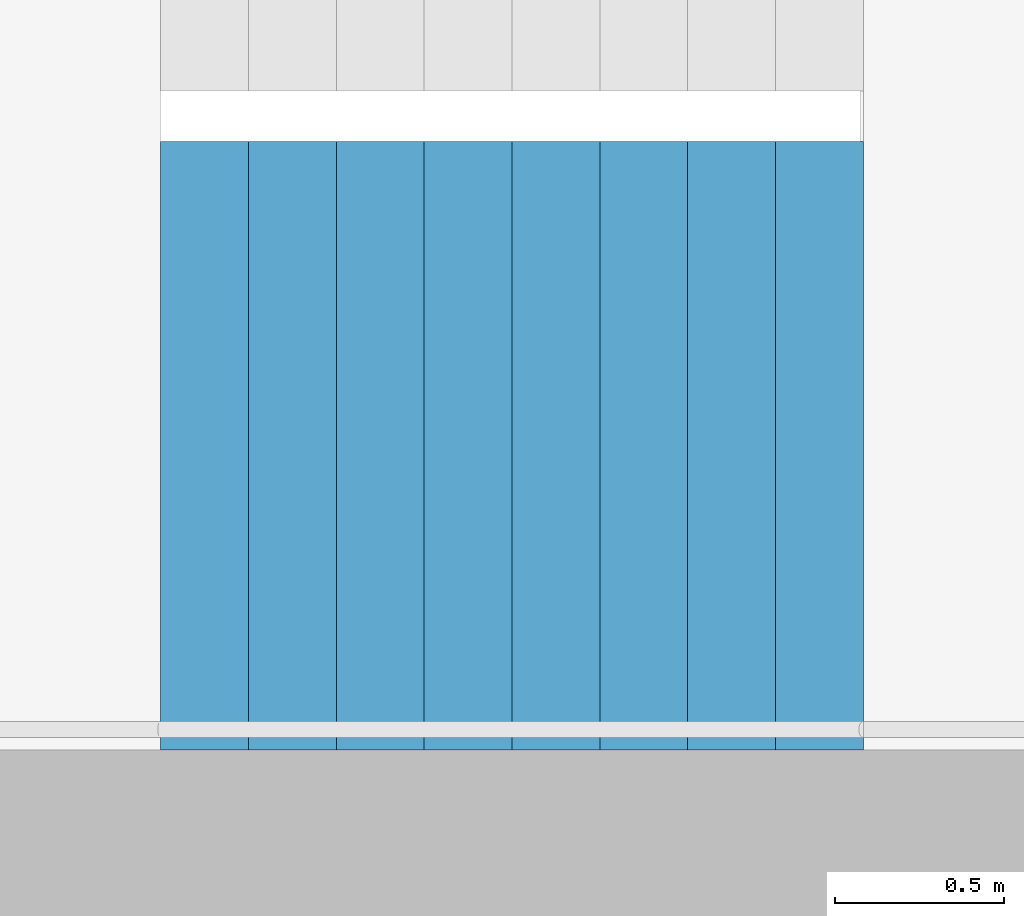
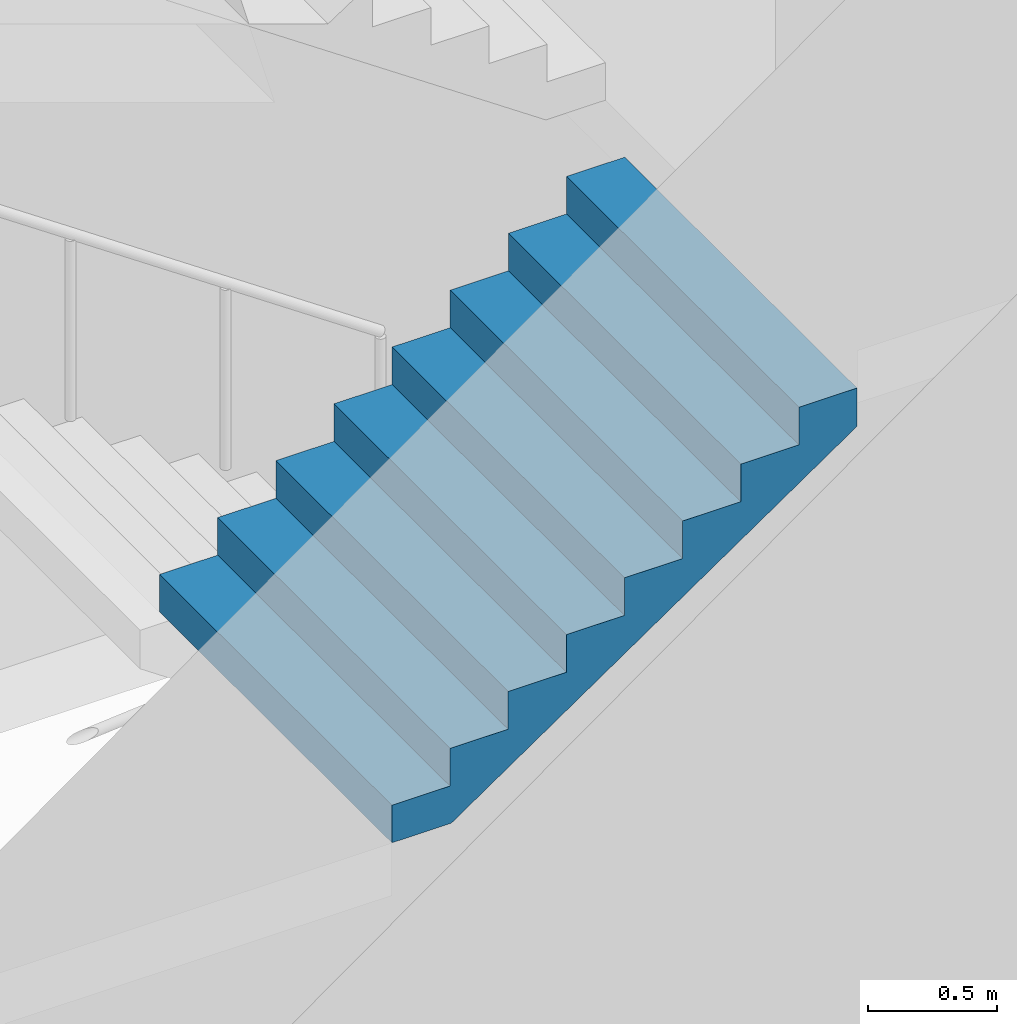
# One storey, part 15 of 41: 1 stair flight, 1 element without a shape of its own.
"""IFC4 building model written with IfcOpenShell, lengths in metres."""

from ifc_helpers import new_model, si_unit, direction, frame, origin, place, context, subcontext, project, spatial, triangles, material, type_object, element, aggregate, save


model = new_model("IFC4")

# Units and contexts
model_context = context("Model", 3, precision=1e-05, world=origin(), true_north=direction((0.0, 1.0)))
body_context = subcontext(model_context, "Body", "Model", "MODEL_VIEW")
ifc_project = project(units=[si_unit("LENGTHUNIT", "METRE"), si_unit("AREAUNIT", "SQUARE_METRE"), si_unit("VOLUMEUNIT", "CUBIC_METRE"), si_unit("PLANEANGLEUNIT", "RADIAN"), si_unit("MASSUNIT", "GRAM", prefix="KILO")], contexts=[model_context])

# Site, building, storey
site_placement = place(None, origin())
site = spatial("IfcSite", under=ifc_project, at=site_placement, CompositionType="ELEMENT")
building_placement = place(site_placement, origin())
building = spatial("IfcBuilding", under=site, at=building_placement, Name="Hakoniwa Tower and Hamabe Station Hall", CompositionType="ELEMENT")
storey_placement = place(building_placement, frame((0.0, 0.0, 180.199951171875)))
storey = spatial("IfcBuildingStorey", under=building, at=storey_placement, Name="L51", CompositionType="ELEMENT", Elevation=180.199951171875)

# Stair, stair flight
ifc_material_1 = material(Name="Concrete C40", Category="concrete")
stair_type = type_object("IfcStairType", Name="ESCAPE STAIR 1800", PredefinedType="HALF_TURN_STAIR", material=ifc_material_1)
stair_placement = place(storey_placement, origin())
stair = element("IfcStair", 1, at=stair_placement, inside=storey, type_object=stair_type, Name="Escape stair ST-2 L51", PredefinedType="HALF_TURN_STAIR")
ifc_material_2 = material(Name="Concrete C40", Category="concrete")
stair_flight_type = type_object("IfcStairFlightType", Name="STAIR FLIGHT 1800", PredefinedType="STRAIGHT", material=ifc_material_2)
stair_flight_placement = place(storey_placement, frame((-25.47998046875, -6.60009765625, 1.60009765625), z_axis=(0.0, 0.0, 1.0), x_axis=(1.0, 0.0, 0.0)))
stair_flight = element("IfcStairFlight", 2, at=stair_flight_placement, type_object=stair_flight_type, Name="ST-2 flight 2", NumberOfRisers=9, NumberOfTreads=8, PredefinedType="STRAIGHT", RiserHeight=0.177777778, TreadLength=0.26, context=body_context, shape_type="Tessellation", body=[
    triangles([(0.0, 0.89990234375, 0.0), (0.260009765625, 0.89990234375, 0.0), (0.265625, 0.89990234375, 0.0), (0.52001953125, 0.89990234375, 0.174072265625), (0.780029296875, 0.89990234375, 0.351806640625), (1.0400390625, 0.89990234375, 0.529541015625), (1.300048828125, 0.89990234375, 0.707275390625), (1.56005859375, 0.89990234375, 0.885009765625), (1.820068359375, 0.89990234375, 1.062744140625), (2.080078125, 0.89990234375, 1.24072265625), (2.080078125, 0.89990234375, 1.422119140625), (1.820068359375, 0.89990234375, 1.422119140625), (1.820068359375, 0.89990234375, 1.244384765625), (1.56005859375, 0.89990234375, 1.244384765625), (1.56005859375, 0.89990234375, 1.066650390625), (1.300048828125, 0.89990234375, 1.066650390625), (1.300048828125, 0.89990234375, 0.888916015625), (1.0400390625, 0.89990234375, 0.888916015625), (1.0400390625, 0.89990234375, 0.711181640625), (0.780029296875, 0.89990234375, 0.711181640625), (0.780029296875, 0.89990234375, 0.533447265625), (0.52001953125, 0.89990234375, 0.533447265625), (0.52001953125, 0.89990234375, 0.35546875), (0.265625, 0.89990234375, 0.35546875), (0.260009765625, 0.89990234375, 0.35546875), (0.260009765625, 0.89990234375, 0.177734375), (0.0, 0.89990234375, 0.177734375), (0.0, 0.06005859375, 0.0), (0.260009765625, 0.06005859375, 0.0), (0.265625, 0.06005859375, 0.0), (0.52001953125, 0.06005859375, 0.174072265625), (0.780029296875, 0.06005859375, 0.351806640625), (1.0400390625, 0.06005859375, 0.529541015625), (1.300048828125, 0.06005859375, 0.707275390625), (1.56005859375, 0.06005859375, 0.885009765625), (1.820068359375, 0.06005859375, 1.062744140625), (2.080078125, 0.06005859375, 1.24072265625), (2.080078125, 0.06005859375, 1.422119140625), (1.820068359375, 0.06005859375, 1.422119140625), (1.820068359375, 0.06005859375, 1.244384765625), (1.56005859375, 0.06005859375, 1.244384765625), (1.56005859375, 0.06005859375, 1.066650390625), (1.300048828125, 0.06005859375, 1.066650390625), (1.300048828125, 0.06005859375, 0.888916015625), (1.0400390625, 0.06005859375, 0.888916015625), (1.0400390625, 0.06005859375, 0.711181640625), (0.780029296875, 0.06005859375, 0.711181640625), (0.780029296875, 0.06005859375, 0.533447265625), (0.52001953125, 0.06005859375, 0.533447265625), (0.52001953125, 0.06005859375, 0.35546875), (0.265625, 0.06005859375, 0.35546875), (0.260009765625, 0.06005859375, 0.35546875), (0.260009765625, 0.06005859375, 0.177734375), (0.0, 0.06005859375, 0.177734375), (0.0, 0.04296875, 0.0), (0.260009765625, 0.04296875, 0.0), (0.265625, 0.04296875, 0.0), (0.52001953125, 0.04296875, 0.174072265625), (0.780029296875, 0.04296875, 0.351806640625), (1.0400390625, 0.04296875, 0.529541015625), (1.300048828125, 0.04296875, 0.707275390625), (1.56005859375, 0.04296875, 0.885009765625), (1.820068359375, 0.04296875, 1.062744140625), (2.080078125, 0.04296875, 1.24072265625), (2.080078125, 0.04296875, 1.422119140625), (1.820068359375, 0.04296875, 1.422119140625), (1.820068359375, 0.04296875, 1.244384765625), (1.56005859375, 0.04296875, 1.244384765625), (1.56005859375, 0.04296875, 1.066650390625), (1.300048828125, 0.04296875, 1.066650390625), (1.300048828125, 0.04296875, 0.888916015625), (1.0400390625, 0.04296875, 0.888916015625), (1.0400390625, 0.04296875, 0.711181640625), (0.780029296875, 0.04296875, 0.711181640625), (0.780029296875, 0.04296875, 0.533447265625), (0.52001953125, 0.04296875, 0.533447265625), (0.52001953125, 0.04296875, 0.35546875), (0.265625, 0.04296875, 0.35546875), (0.260009765625, 0.04296875, 0.35546875), (0.260009765625, 0.04296875, 0.177734375), (0.0, 0.04296875, 0.177734375), (0.0, 0.025634765625, 0.0), (0.260009765625, 0.025634765625, 0.0), (0.265625, 0.025634765625, 0.0), (0.52001953125, 0.025634765625, 0.174072265625), (0.780029296875, 0.025634765625, 0.351806640625), (1.0400390625, 0.025634765625, 0.529541015625), (1.300048828125, 0.025634765625, 0.707275390625), (1.56005859375, 0.025634765625, 0.885009765625), (1.820068359375, 0.025634765625, 1.062744140625), (2.080078125, 0.025634765625, 1.24072265625), (2.080078125, 0.025634765625, 1.422119140625), (1.820068359375, 0.025634765625, 1.422119140625), (1.820068359375, 0.025634765625, 1.244384765625), (1.56005859375, 0.025634765625, 1.244384765625), (1.56005859375, 0.025634765625, 1.066650390625), (1.300048828125, 0.025634765625, 1.066650390625), (1.300048828125, 0.025634765625, 0.888916015625), (1.0400390625, 0.025634765625, 0.888916015625), (1.0400390625, 0.025634765625, 0.711181640625), (0.780029296875, 0.025634765625, 0.711181640625), (0.780029296875, 0.025634765625, 0.533447265625), (0.52001953125, 0.025634765625, 0.533447265625), (0.52001953125, 0.025634765625, 0.35546875), (0.265625, 0.025634765625, 0.35546875), (0.260009765625, 0.025634765625, 0.35546875), (0.260009765625, 0.025634765625, 0.177734375), (0.0, 0.025634765625, 0.177734375), (0.0, 0.008544921875, 0.0), (0.260009765625, 0.008544921875, 0.0), (0.265625, 0.008544921875, 0.0), (0.52001953125, 0.008544921875, 0.174072265625), (0.780029296875, 0.008544921875, 0.351806640625), (1.0400390625, 0.008544921875, 0.529541015625), (1.300048828125, 0.008544921875, 0.707275390625), (1.56005859375, 0.008544921875, 0.885009765625), (1.820068359375, 0.008544921875, 1.062744140625), (2.080078125, 0.008544921875, 1.24072265625), (2.080078125, 0.008544921875, 1.422119140625), (1.820068359375, 0.008544921875, 1.422119140625), (1.820068359375, 0.008544921875, 1.244384765625), (1.56005859375, 0.008544921875, 1.244384765625), (1.56005859375, 0.008544921875, 1.066650390625), (1.300048828125, 0.008544921875, 1.066650390625), (1.300048828125, 0.008544921875, 0.888916015625), (1.0400390625, 0.008544921875, 0.888916015625), (1.0400390625, 0.008544921875, 0.711181640625), (0.780029296875, 0.008544921875, 0.711181640625), (0.780029296875, 0.008544921875, 0.533447265625), (0.52001953125, 0.008544921875, 0.533447265625), (0.52001953125, 0.008544921875, 0.35546875), (0.265625, 0.008544921875, 0.35546875), (0.260009765625, 0.008544921875, 0.35546875), (0.260009765625, 0.008544921875, 0.177734375), (0.0, 0.008544921875, 0.177734375), (0.0, -0.008544921875, 0.0), (0.260009765625, -0.008544921875, 0.0), (0.265625, -0.008544921875, 0.0), (0.52001953125, -0.008544921875, 0.174072265625), (0.780029296875, -0.008544921875, 0.351806640625), (1.0400390625, -0.008544921875, 0.529541015625), (1.300048828125, -0.008544921875, 0.707275390625), (1.56005859375, -0.008544921875, 0.885009765625), (1.820068359375, -0.008544921875, 1.062744140625), (2.080078125, -0.008544921875, 1.24072265625), (2.080078125, -0.008544921875, 1.422119140625), (1.820068359375, -0.008544921875, 1.422119140625), (1.820068359375, -0.008544921875, 1.244384765625), (1.56005859375, -0.008544921875, 1.244384765625), (1.56005859375, -0.008544921875, 1.066650390625), (1.300048828125, -0.008544921875, 1.066650390625), (1.300048828125, -0.008544921875, 0.888916015625), (1.0400390625, -0.008544921875, 0.888916015625), (1.0400390625, -0.008544921875, 0.711181640625), (0.780029296875, -0.008544921875, 0.711181640625), (0.780029296875, -0.008544921875, 0.533447265625), (0.52001953125, -0.008544921875, 0.533447265625), (0.52001953125, -0.008544921875, 0.35546875), (0.265625, -0.008544921875, 0.35546875), (0.260009765625, -0.008544921875, 0.35546875), (0.260009765625, -0.008544921875, 0.177734375), (0.0, -0.008544921875, 0.177734375), (0.0, -0.025634765625, 0.0), (0.260009765625, -0.025634765625, 0.0), (0.265625, -0.025634765625, 0.0), (0.52001953125, -0.025634765625, 0.174072265625), (0.780029296875, -0.025634765625, 0.351806640625), (1.0400390625, -0.025634765625, 0.529541015625), (1.300048828125, -0.025634765625, 0.707275390625), (1.56005859375, -0.025634765625, 0.885009765625), (1.820068359375, -0.025634765625, 1.062744140625), (2.080078125, -0.025634765625, 1.24072265625), (2.080078125, -0.025634765625, 1.422119140625), (1.820068359375, -0.025634765625, 1.422119140625), (1.820068359375, -0.025634765625, 1.244384765625), (1.56005859375, -0.025634765625, 1.244384765625), (1.56005859375, -0.025634765625, 1.066650390625), (1.300048828125, -0.025634765625, 1.066650390625), (1.300048828125, -0.025634765625, 0.888916015625), (1.0400390625, -0.025634765625, 0.888916015625), (1.0400390625, -0.025634765625, 0.711181640625), (0.780029296875, -0.025634765625, 0.711181640625), (0.780029296875, -0.025634765625, 0.533447265625), (0.52001953125, -0.025634765625, 0.533447265625), (0.52001953125, -0.025634765625, 0.35546875), (0.265625, -0.025634765625, 0.35546875), (0.260009765625, -0.025634765625, 0.35546875), (0.260009765625, -0.025634765625, 0.177734375), (0.0, -0.025634765625, 0.177734375), (0.0, -0.04296875, 0.0), (0.260009765625, -0.04296875, 0.0), (0.265625, -0.04296875, 0.0), (0.52001953125, -0.04296875, 0.174072265625), (0.780029296875, -0.04296875, 0.351806640625), (1.0400390625, -0.04296875, 0.529541015625), (1.300048828125, -0.04296875, 0.707275390625), (1.56005859375, -0.04296875, 0.885009765625), (1.820068359375, -0.04296875, 1.062744140625), (2.080078125, -0.04296875, 1.24072265625), (2.080078125, -0.04296875, 1.422119140625), (1.820068359375, -0.04296875, 1.422119140625), (1.820068359375, -0.04296875, 1.244384765625), (1.56005859375, -0.04296875, 1.244384765625), (1.56005859375, -0.04296875, 1.066650390625), (1.300048828125, -0.04296875, 1.066650390625), (1.300048828125, -0.04296875, 0.888916015625), (1.0400390625, -0.04296875, 0.888916015625), (1.0400390625, -0.04296875, 0.711181640625), (0.780029296875, -0.04296875, 0.711181640625), (0.780029296875, -0.04296875, 0.533447265625), (0.52001953125, -0.04296875, 0.533447265625), (0.52001953125, -0.04296875, 0.35546875), (0.265625, -0.04296875, 0.35546875), (0.260009765625, -0.04296875, 0.35546875), (0.260009765625, -0.04296875, 0.177734375), (0.0, -0.04296875, 0.177734375), (0.0, -0.06005859375, 0.0), (0.260009765625, -0.06005859375, 0.0), (0.265625, -0.06005859375, 0.0), (0.52001953125, -0.06005859375, 0.174072265625), (0.780029296875, -0.06005859375, 0.351806640625), (1.0400390625, -0.06005859375, 0.529541015625), (1.300048828125, -0.06005859375, 0.707275390625), (1.56005859375, -0.06005859375, 0.885009765625), (1.820068359375, -0.06005859375, 1.062744140625), (2.080078125, -0.06005859375, 1.24072265625), (2.080078125, -0.06005859375, 1.422119140625), (1.820068359375, -0.06005859375, 1.422119140625), (1.820068359375, -0.06005859375, 1.244384765625), (1.56005859375, -0.06005859375, 1.244384765625), (1.56005859375, -0.06005859375, 1.066650390625), (1.300048828125, -0.06005859375, 1.066650390625), (1.300048828125, -0.06005859375, 0.888916015625), (1.0400390625, -0.06005859375, 0.888916015625), (1.0400390625, -0.06005859375, 0.711181640625), (0.780029296875, -0.06005859375, 0.711181640625), (0.780029296875, -0.06005859375, 0.533447265625), (0.52001953125, -0.06005859375, 0.533447265625), (0.52001953125, -0.06005859375, 0.35546875), (0.265625, -0.06005859375, 0.35546875), (0.260009765625, -0.06005859375, 0.35546875), (0.260009765625, -0.06005859375, 0.177734375), (0.0, -0.06005859375, 0.177734375), (0.0, -0.89990234375, 0.0), (0.260009765625, -0.89990234375, 0.0), (0.265625, -0.89990234375, 0.0), (0.52001953125, -0.89990234375, 0.174072265625), (0.780029296875, -0.89990234375, 0.351806640625), (1.0400390625, -0.89990234375, 0.529541015625), (1.300048828125, -0.89990234375, 0.707275390625), (1.56005859375, -0.89990234375, 0.885009765625), (1.820068359375, -0.89990234375, 1.062744140625), (2.080078125, -0.89990234375, 1.24072265625), (2.080078125, -0.89990234375, 1.422119140625), (1.820068359375, -0.89990234375, 1.422119140625), (1.820068359375, -0.89990234375, 1.244384765625), (1.56005859375, -0.89990234375, 1.244384765625), (1.56005859375, -0.89990234375, 1.066650390625), (1.300048828125, -0.89990234375, 1.066650390625), (1.300048828125, -0.89990234375, 0.888916015625), (1.0400390625, -0.89990234375, 0.888916015625), (1.0400390625, -0.89990234375, 0.711181640625), (0.780029296875, -0.89990234375, 0.711181640625), (0.780029296875, -0.89990234375, 0.533447265625), (0.52001953125, -0.89990234375, 0.533447265625), (0.52001953125, -0.89990234375, 0.35546875), (0.265625, -0.89990234375, 0.35546875), (0.260009765625, -0.89990234375, 0.35546875), (0.260009765625, -0.89990234375, 0.177734375), (0.0, -0.89990234375, 0.177734375)], [[2, 27, 26], [245, 269, 270], [2, 1, 27], [245, 270, 244], [3, 25, 24], [246, 267, 268], [3, 26, 25], [246, 268, 269], [3, 2, 26], [246, 269, 245], [4, 24, 23], [247, 266, 267], [4, 3, 24], [247, 267, 246], [5, 22, 21], [248, 264, 265], [5, 23, 22], [248, 265, 266], [5, 4, 23], [248, 266, 247], [6, 20, 19], [249, 262, 263], [6, 21, 20], [249, 263, 264], [6, 5, 21], [249, 264, 248], [7, 18, 17], [250, 260, 261], [7, 19, 18], [250, 261, 262], [7, 6, 19], [250, 262, 249], [8, 16, 15], [251, 258, 259], [8, 17, 16], [251, 259, 260], [8, 7, 17], [251, 260, 250], [9, 14, 13], [252, 256, 257], [9, 15, 14], [252, 257, 258], [9, 8, 15], [252, 258, 251], [10, 12, 11], [253, 254, 255], [10, 13, 12], [253, 255, 256], [10, 9, 13], [253, 256, 252], [1, 2, 29], [1, 29, 28], [28, 29, 56], [28, 56, 55], [55, 56, 83], [55, 83, 82], [82, 83, 110], [82, 110, 109], [109, 110, 137], [109, 137, 136], [136, 137, 164], [136, 164, 163], [163, 164, 191], [163, 191, 190], [190, 191, 218], [190, 218, 217], [217, 218, 245], [217, 245, 244], [2, 3, 30], [2, 30, 29], [29, 30, 57], [29, 57, 56], [56, 57, 84], [56, 84, 83], [83, 84, 111], [83, 111, 110], [110, 111, 138], [110, 138, 137], [137, 138, 165], [137, 165, 164], [164, 165, 192], [164, 192, 191], [191, 192, 219], [191, 219, 218], [218, 219, 246], [218, 246, 245], [3, 4, 31], [3, 31, 30], [30, 31, 58], [30, 58, 57], [57, 58, 85], [57, 85, 84], [84, 85, 112], [84, 112, 111], [111, 112, 139], [111, 139, 138], [138, 139, 166], [138, 166, 165], [165, 166, 193], [165, 193, 192], [192, 193, 220], [192, 220, 219], [219, 220, 247], [219, 247, 246], [4, 5, 32], [4, 32, 31], [31, 32, 59], [31, 59, 58], [58, 59, 86], [58, 86, 85], [85, 86, 113], [85, 113, 112], [112, 113, 140], [112, 140, 139], [139, 140, 167], [139, 167, 166], [166, 167, 194], [166, 194, 193], [193, 194, 221], [193, 221, 220], [220, 221, 248], [220, 248, 247], [5, 6, 33], [5, 33, 32], [32, 33, 60], [32, 60, 59], [59, 60, 87], [59, 87, 86], [86, 87, 114], [86, 114, 113], [113, 114, 141], [113, 141, 140], [140, 141, 168], [140, 168, 167], [167, 168, 195], [167, 195, 194], [194, 195, 222], [194, 222, 221], [221, 222, 249], [221, 249, 248], [6, 7, 34], [6, 34, 33], [33, 34, 61], [33, 61, 60], [60, 61, 88], [60, 88, 87], [87, 88, 115], [87, 115, 114], [114, 115, 142], [114, 142, 141], [141, 142, 169], [141, 169, 168], [168, 169, 196], [168, 196, 195], [195, 196, 223], [195, 223, 222], [222, 223, 250], [222, 250, 249], [7, 8, 35], [7, 35, 34], [34, 35, 62], [34, 62, 61], [61, 62, 89], [61, 89, 88], [88, 89, 116], [88, 116, 115], [115, 116, 143], [115, 143, 142], [142, 143, 170], [142, 170, 169], [169, 170, 197], [169, 197, 196], [196, 197, 224], [196, 224, 223], [223, 224, 251], [223, 251, 250], [8, 9, 36], [8, 36, 35], [35, 36, 63], [35, 63, 62], [62, 63, 90], [62, 90, 89], [89, 90, 117], [89, 117, 116], [116, 117, 144], [116, 144, 143], [143, 144, 171], [143, 171, 170], [170, 171, 198], [170, 198, 197], [197, 198, 225], [197, 225, 224], [224, 225, 252], [224, 252, 251], [9, 10, 37], [9, 37, 36], [36, 37, 64], [36, 64, 63], [63, 64, 91], [63, 91, 90], [90, 91, 118], [90, 118, 117], [117, 118, 145], [117, 145, 144], [144, 145, 172], [144, 172, 171], [171, 172, 199], [171, 199, 198], [198, 199, 226], [198, 226, 225], [225, 226, 253], [225, 253, 252], [10, 11, 38], [10, 38, 37], [37, 38, 65], [37, 65, 64], [64, 65, 92], [64, 92, 91], [91, 92, 119], [91, 119, 118], [118, 119, 146], [118, 146, 145], [145, 146, 173], [145, 173, 172], [172, 173, 200], [172, 200, 199], [199, 200, 227], [199, 227, 226], [226, 227, 254], [226, 254, 253], [11, 12, 39], [11, 39, 38], [38, 39, 66], [38, 66, 65], [65, 66, 93], [65, 93, 92], [92, 93, 120], [92, 120, 119], [119, 120, 147], [119, 147, 146], [146, 147, 174], [146, 174, 173], [173, 174, 201], [173, 201, 200], [200, 201, 228], [200, 228, 227], [227, 228, 255], [227, 255, 254], [12, 13, 40], [12, 40, 39], [39, 40, 67], [39, 67, 66], [66, 67, 94], [66, 94, 93], [93, 94, 121], [93, 121, 120], [120, 121, 148], [120, 148, 147], [147, 148, 175], [147, 175, 174], [174, 175, 202], [174, 202, 201], [201, 202, 229], [201, 229, 228], [228, 229, 256], [228, 256, 255], [13, 14, 41], [13, 41, 40], [40, 41, 68], [40, 68, 67], [67, 68, 95], [67, 95, 94], [94, 95, 122], [94, 122, 121], [121, 122, 149], [121, 149, 148], [148, 149, 176], [148, 176, 175], [175, 176, 203], [175, 203, 202], [202, 203, 230], [202, 230, 229], [229, 230, 257], [229, 257, 256], [14, 15, 42], [14, 42, 41], [41, 42, 69], [41, 69, 68], [68, 69, 96], [68, 96, 95], [95, 96, 123], [95, 123, 122], [122, 123, 150], [122, 150, 149], [149, 150, 177], [149, 177, 176], [176, 177, 204], [176, 204, 203], [203, 204, 231], [203, 231, 230], [230, 231, 258], [230, 258, 257], [15, 16, 43], [15, 43, 42], [42, 43, 70], [42, 70, 69], [69, 70, 97], [69, 97, 96], [96, 97, 124], [96, 124, 123], [123, 124, 151], [123, 151, 150], [150, 151, 178], [150, 178, 177], [177, 178, 205], [177, 205, 204], [204, 205, 232], [204, 232, 231], [231, 232, 259], [231, 259, 258], [16, 17, 44], [16, 44, 43], [43, 44, 71], [43, 71, 70], [70, 71, 98], [70, 98, 97], [97, 98, 125], [97, 125, 124], [124, 125, 152], [124, 152, 151], [151, 152, 179], [151, 179, 178], [178, 179, 206], [178, 206, 205], [205, 206, 233], [205, 233, 232], [232, 233, 260], [232, 260, 259], [17, 18, 45], [17, 45, 44], [44, 45, 72], [44, 72, 71], [71, 72, 99], [71, 99, 98], [98, 99, 126], [98, 126, 125], [125, 126, 153], [125, 153, 152], [152, 153, 180], [152, 180, 179], [179, 180, 207], [179, 207, 206], [206, 207, 234], [206, 234, 233], [233, 234, 261], [233, 261, 260], [18, 19, 46], [18, 46, 45], [45, 46, 73], [45, 73, 72], [72, 73, 100], [72, 100, 99], [99, 100, 127], [99, 127, 126], [126, 127, 154], [126, 154, 153], [153, 154, 181], [153, 181, 180], [180, 181, 208], [180, 208, 207], [207, 208, 235], [207, 235, 234], [234, 235, 262], [234, 262, 261], [19, 20, 47], [19, 47, 46], [46, 47, 74], [46, 74, 73], [73, 74, 101], [73, 101, 100], [100, 101, 128], [100, 128, 127], [127, 128, 155], [127, 155, 154], [154, 155, 182], [154, 182, 181], [181, 182, 209], [181, 209, 208], [208, 209, 236], [208, 236, 235], [235, 236, 263], [235, 263, 262], [20, 21, 48], [20, 48, 47], [47, 48, 75], [47, 75, 74], [74, 75, 102], [74, 102, 101], [101, 102, 129], [101, 129, 128], [128, 129, 156], [128, 156, 155], [155, 156, 183], [155, 183, 182], [182, 183, 210], [182, 210, 209], [209, 210, 237], [209, 237, 236], [236, 237, 264], [236, 264, 263], [21, 22, 49], [21, 49, 48], [48, 49, 76], [48, 76, 75], [75, 76, 103], [75, 103, 102], [102, 103, 130], [102, 130, 129], [129, 130, 157], [129, 157, 156], [156, 157, 184], [156, 184, 183], [183, 184, 211], [183, 211, 210], [210, 211, 238], [210, 238, 237], [237, 238, 265], [237, 265, 264], [22, 23, 50], [22, 50, 49], [49, 50, 77], [49, 77, 76], [76, 77, 104], [76, 104, 103], [103, 104, 131], [103, 131, 130], [130, 131, 158], [130, 158, 157], [157, 158, 185], [157, 185, 184], [184, 185, 212], [184, 212, 211], [211, 212, 239], [211, 239, 238], [238, 239, 266], [238, 266, 265], [23, 24, 51], [23, 51, 50], [50, 51, 78], [50, 78, 77], [77, 78, 105], [77, 105, 104], [104, 105, 132], [104, 132, 131], [131, 132, 159], [131, 159, 158], [158, 159, 186], [158, 186, 185], [185, 186, 213], [185, 213, 212], [212, 213, 240], [212, 240, 239], [239, 240, 267], [239, 267, 266], [24, 25, 52], [24, 52, 51], [51, 52, 79], [51, 79, 78], [78, 79, 106], [78, 106, 105], [105, 106, 133], [105, 133, 132], [132, 133, 160], [132, 160, 159], [159, 160, 187], [159, 187, 186], [186, 187, 214], [186, 214, 213], [213, 214, 241], [213, 241, 240], [240, 241, 268], [240, 268, 267], [25, 26, 53], [25, 53, 52], [52, 53, 80], [52, 80, 79], [79, 80, 107], [79, 107, 106], [106, 107, 134], [106, 134, 133], [133, 134, 161], [133, 161, 160], [160, 161, 188], [160, 188, 187], [187, 188, 215], [187, 215, 214], [214, 215, 242], [214, 242, 241], [241, 242, 269], [241, 269, 268], [26, 27, 54], [26, 54, 53], [53, 54, 81], [53, 81, 80], [80, 81, 108], [80, 108, 107], [107, 108, 135], [107, 135, 134], [134, 135, 162], [134, 162, 161], [161, 162, 189], [161, 189, 188], [188, 189, 216], [188, 216, 215], [215, 216, 243], [215, 243, 242], [242, 243, 270], [242, 270, 269], [27, 1, 28], [27, 28, 54], [54, 28, 55], [54, 55, 81], [81, 55, 82], [81, 82, 108], [108, 82, 109], [108, 109, 135], [135, 109, 136], [135, 136, 162], [162, 136, 163], [162, 163, 189], [189, 163, 190], [189, 190, 216], [216, 190, 217], [216, 217, 243], [243, 217, 244], [243, 244, 270]], closed=True),
])
aggregate(stair, [stair_flight])

save(model, "model.ifc")
